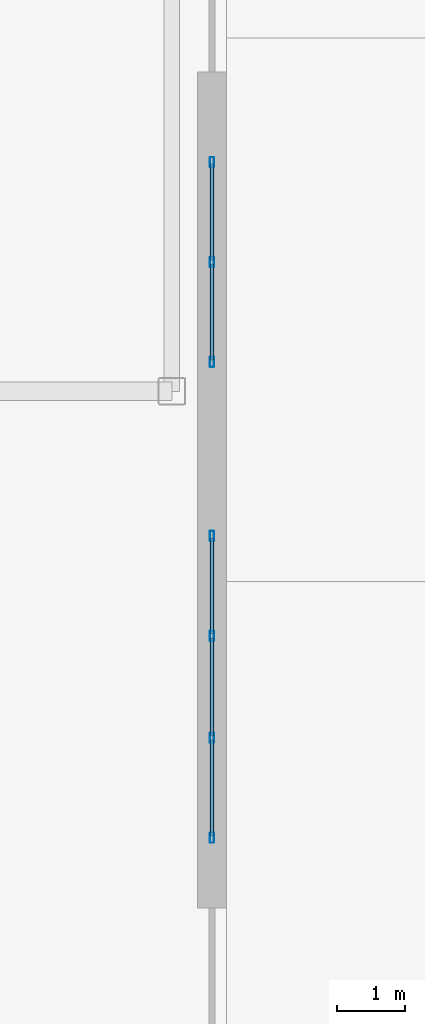
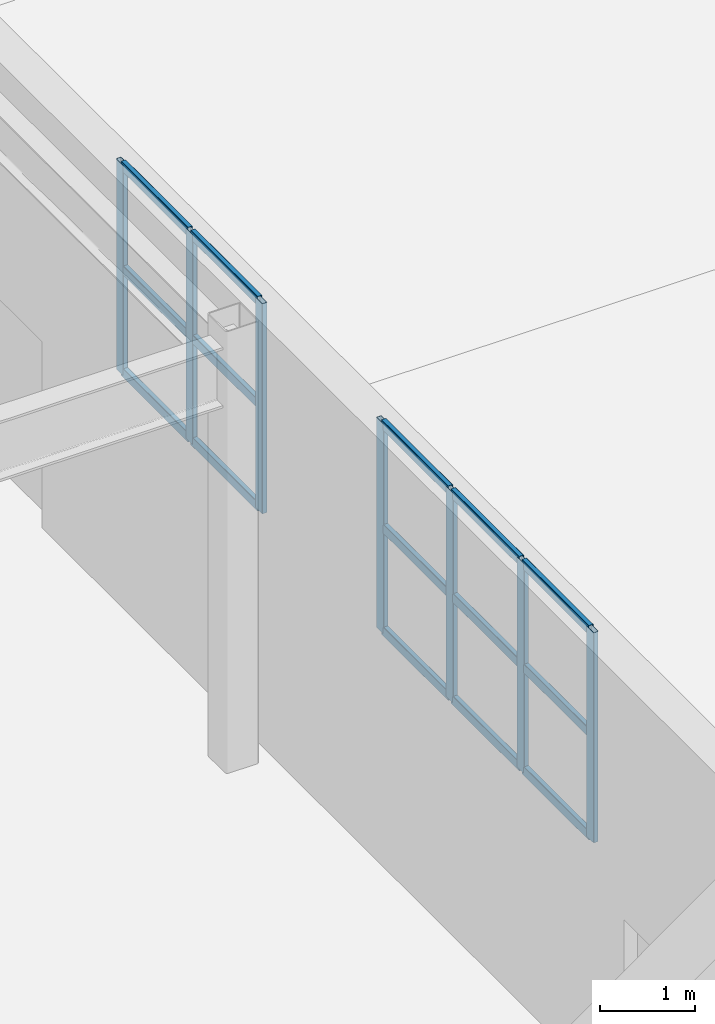
# One storey, part 6 of 18: 22 members, 2 elements without a shape of their own.
"""IFC4 building model written with IfcOpenShell, lengths in metres."""

from ifc_helpers import new_model, entity, si_unit, converted_unit, direction, frame, origin_with_axes, origin_2d_with_axis, place, context, subcontext, project, spatial, hollow_rectangle, extrude, material, material_profile, profile_set, type_object, element, aggregate, save


model = new_model("IFC4")

# Units and contexts
model_context = context("Model", 3, precision=1e-05, world=origin_with_axes(), true_north=direction((0.0, 1.0)))
body_context = subcontext(model_context, "Body", "Model", "MODEL_VIEW")
ifc_project = project(units=[si_unit("LENGTHUNIT", "METRE"), si_unit("AREAUNIT", "SQUARE_METRE"), si_unit("VOLUMEUNIT", "CUBIC_METRE"), converted_unit("PLANEANGLEUNIT", "DEGREE", entity("IfcPlaneAngleMeasure", 0.017453292519943295), si_unit("PLANEANGLEUNIT", "RADIAN"), dimensions=[0, 0, 0, 0, 0, 0, 0]), si_unit("MASSUNIT", "GRAM", prefix="KILO"), si_unit("THERMODYNAMICTEMPERATUREUNIT", "KELVIN")], contexts=[model_context])

# Site, building, storey
site_placement = place(None, origin_with_axes())
site = spatial("IfcSite", under=ifc_project, at=site_placement, CompositionType="ELEMENT")
building_placement = place(site_placement, origin_with_axes())
building = spatial("IfcBuilding", under=site, at=building_placement, Name="Varnlund Millrace Tower", CompositionType="ELEMENT")
storey_placement = place(building_placement, origin_with_axes())
storey = spatial("IfcBuildingStorey", under=building, at=storey_placement, Name="L00", CompositionType="ELEMENT", Elevation=0.0)

# Curtain wall, members
ifc_material_1 = material(Name="Thermally broken architectural bronze curtain wall", Category="aluminium")
curtain_wall_type = type_object("IfcCurtainWallType", Name="Type-CW-Sys1-Concourse", PredefinedType="NOTDEFINED", material=ifc_material_1)
curtain_wall_1_placement = place(storey_placement, frame((68.19, 8.7, 2.75), z_axis=(0.0, 0.0, 1.0), x_axis=(1.0, 0.0, 0.0)))
curtain_wall_1 = element("IfcCurtainWall", 1, at=curtain_wall_1_placement, inside=storey, type_object=curtain_wall_type, Name="Type-CW-Sys1-Concourse", PredefinedType="NOTDEFINED")
ifc_material_2 = material(Name="Architectural bronze aluminium alloy 6063-T6", Category="aluminium")
ifc_material_profile_1 = material_profile(ifc_material_2, hollow_rectangle(XDim=0.06, YDim=0.15, WallThickness=0.004, InnerFilletRadius=0.004, OuterFilletRadius=0.008, at=origin_2d_with_axis()), Name="Architectural bronze aluminium alloy 6063-T6")
ifc_profile_set_1 = profile_set([ifc_material_profile_1], Name="Architectural bronze aluminium alloy 6063-T6")
member_type_1 = type_object("IfcMemberType", Name="Type-CW-Mullion-60X150", PredefinedType="MULLION", material=ifc_profile_set_1)
member_1_placement = place(storey_placement, frame((68.19, 8.67, 2.75), z_axis=(0.0, 0.0, 1.0), x_axis=(1.0, 0.0, 0.0)))
member_1 = element("IfcMember", 2, at=member_1_placement, type_object=member_type_1, Name="CW-01 mullion 1", PredefinedType="MULLION", context=body_context, shape_type="SweptSolid", body=[
    extrude(hollow_rectangle(XDim=0.06, YDim=0.15, WallThickness=0.004, InnerFilletRadius=0.004, OuterFilletRadius=0.008, at=origin_2d_with_axis()), origin_with_axes(), (0.0, 0.0, 1.0), 2.71),
])
member_2_placement = place(storey_placement, frame((68.19, 7.2, 2.75), z_axis=(0.0, 0.0, 1.0), x_axis=(1.0, 0.0, 0.0)))
member_2 = element("IfcMember", 3, at=member_2_placement, type_object=member_type_1, Name="CW-01 mullion 2", PredefinedType="MULLION", context=body_context, shape_type="SweptSolid", body=[
    extrude(hollow_rectangle(XDim=0.06, YDim=0.15, WallThickness=0.004, InnerFilletRadius=0.004, OuterFilletRadius=0.008, at=origin_2d_with_axis()), origin_with_axes(), (0.0, 0.0, 1.0), 2.71),
])
member_3_placement = place(storey_placement, frame((68.19, 5.7, 2.75), z_axis=(0.0, 0.0, 1.0), x_axis=(1.0, 0.0, 0.0)))
member_3 = element("IfcMember", 4, at=member_3_placement, type_object=member_type_1, Name="CW-01 mullion 3", PredefinedType="MULLION", context=body_context, shape_type="SweptSolid", body=[
    extrude(hollow_rectangle(XDim=0.06, YDim=0.15, WallThickness=0.004, InnerFilletRadius=0.004, OuterFilletRadius=0.008, at=origin_2d_with_axis()), origin_with_axes(), (0.0, 0.0, 1.0), 2.71),
])
member_4_placement = place(storey_placement, frame((68.19, 4.23, 2.75), z_axis=(0.0, 0.0, 1.0), x_axis=(1.0, 0.0, 0.0)))
member_4 = element("IfcMember", 5, at=member_4_placement, type_object=member_type_1, Name="CW-01 mullion 4", PredefinedType="MULLION", context=body_context, shape_type="SweptSolid", body=[
    extrude(hollow_rectangle(XDim=0.06, YDim=0.15, WallThickness=0.004, InnerFilletRadius=0.004, OuterFilletRadius=0.008, at=origin_2d_with_axis()), origin_with_axes(), (0.0, 0.0, 1.0), 2.71),
])

curtain_wall_2_placement = place(storey_placement, frame((68.19, 14.2, 2.75), z_axis=(0.0, 0.0, 1.0), x_axis=(1.0, 0.0, 0.0)))
curtain_wall_2 = element("IfcCurtainWall", 6, at=curtain_wall_2_placement, inside=storey, type_object=curtain_wall_type, Name="Type-CW-Sys1-Concourse", PredefinedType="NOTDEFINED")
member_5_placement = place(storey_placement, frame((68.19, 14.17, 2.75), z_axis=(0.0, 0.0, 1.0), x_axis=(1.0, 0.0, 0.0)))
member_5 = element("IfcMember", 7, at=member_5_placement, type_object=member_type_1, Name="CW-01 mullion 1", PredefinedType="MULLION", context=body_context, shape_type="SweptSolid", body=[
    extrude(hollow_rectangle(XDim=0.06, YDim=0.15, WallThickness=0.004, InnerFilletRadius=0.004, OuterFilletRadius=0.008, at=origin_2d_with_axis()), origin_with_axes(), (0.0, 0.0, 1.0), 2.71),
])
member_6_placement = place(storey_placement, frame((68.19, 12.7, 2.75), z_axis=(0.0, 0.0, 1.0), x_axis=(1.0, 0.0, 0.0)))
member_6 = element("IfcMember", 8, at=member_6_placement, type_object=member_type_1, Name="CW-01 mullion 2", PredefinedType="MULLION", context=body_context, shape_type="SweptSolid", body=[
    extrude(hollow_rectangle(XDim=0.06, YDim=0.15, WallThickness=0.004, InnerFilletRadius=0.004, OuterFilletRadius=0.008, at=origin_2d_with_axis()), origin_with_axes(), (0.0, 0.0, 1.0), 2.71),
])
member_7_placement = place(storey_placement, frame((68.19, 11.23, 2.75), z_axis=(0.0, 0.0, 1.0), x_axis=(1.0, 0.0, 0.0)))
member_7 = element("IfcMember", 9, at=member_7_placement, type_object=member_type_1, Name="CW-01 mullion 3", PredefinedType="MULLION", context=body_context, shape_type="SweptSolid", body=[
    extrude(hollow_rectangle(XDim=0.06, YDim=0.15, WallThickness=0.004, InnerFilletRadius=0.004, OuterFilletRadius=0.008, at=origin_2d_with_axis()), origin_with_axes(), (0.0, 0.0, 1.0), 2.71),
])

# Member
ifc_material_profile_2 = material_profile(ifc_material_2, hollow_rectangle(XDim=0.06, YDim=0.12, WallThickness=0.004, InnerFilletRadius=0.004, OuterFilletRadius=0.008, at=origin_2d_with_axis()), Name="Architectural bronze aluminium alloy 6063-T6")
ifc_profile_set_2 = profile_set([ifc_material_profile_2], Name="Architectural bronze aluminium alloy 6063-T6")
member_type_2 = type_object("IfcMemberType", Name="Type-CW-Transom-60X120", PredefinedType="USERDEFINED", material=ifc_profile_set_2)
member_8_placement = place(storey_placement, frame((68.19, 8.64, 2.78), z_axis=(0.0, -1.0, 0.0), x_axis=(1.0, 0.0, 0.0)))
member_8 = element("IfcMember", 10, at=member_8_placement, type_object=member_type_2, Name="CW-01 transom 1.1", ObjectType="TRANSOM", PredefinedType="USERDEFINED", context=body_context, shape_type="SweptSolid", body=[
    extrude(hollow_rectangle(XDim=0.06, YDim=0.12, WallThickness=0.004, InnerFilletRadius=0.004, OuterFilletRadius=0.008, at=origin_2d_with_axis()), origin_with_axes(), (0.0, 0.0, 1.0), 1.41),
])

member_9_placement = place(storey_placement, frame((68.19, 8.64, 4.105), z_axis=(0.0, -1.0, 0.0), x_axis=(1.0, 0.0, 0.0)))
member_9 = element("IfcMember", 11, at=member_9_placement, type_object=member_type_2, Name="CW-01 transom 1.2", ObjectType="TRANSOM", PredefinedType="USERDEFINED", context=body_context, shape_type="SweptSolid", body=[
    extrude(hollow_rectangle(XDim=0.06, YDim=0.12, WallThickness=0.004, InnerFilletRadius=0.004, OuterFilletRadius=0.008, at=origin_2d_with_axis()), origin_with_axes(), (0.0, 0.0, 1.0), 1.41),
])

member_10_placement = place(storey_placement, frame((68.19, 8.64, 5.43), z_axis=(0.0, -1.0, 0.0), x_axis=(1.0, 0.0, 0.0)))
member_10 = element("IfcMember", 12, at=member_10_placement, type_object=member_type_2, Name="CW-01 transom 1.3", ObjectType="TRANSOM", PredefinedType="USERDEFINED", context=body_context, shape_type="SweptSolid", body=[
    extrude(hollow_rectangle(XDim=0.06, YDim=0.12, WallThickness=0.004, InnerFilletRadius=0.004, OuterFilletRadius=0.008, at=origin_2d_with_axis()), origin_with_axes(), (0.0, 0.0, 1.0), 1.41),
])

member_11_placement = place(storey_placement, frame((68.19, 7.17, 2.78), z_axis=(0.0, -1.0, 0.0), x_axis=(1.0, 0.0, 0.0)))
member_11 = element("IfcMember", 13, at=member_11_placement, type_object=member_type_2, Name="CW-01 transom 2.1", ObjectType="TRANSOM", PredefinedType="USERDEFINED", context=body_context, shape_type="SweptSolid", body=[
    extrude(hollow_rectangle(XDim=0.06, YDim=0.12, WallThickness=0.004, InnerFilletRadius=0.004, OuterFilletRadius=0.008, at=origin_2d_with_axis()), origin_with_axes(), (0.0, 0.0, 1.0), 1.44),
])

member_12_placement = place(storey_placement, frame((68.19, 7.17, 4.105), z_axis=(0.0, -1.0, 0.0), x_axis=(1.0, 0.0, 0.0)))
member_12 = element("IfcMember", 14, at=member_12_placement, type_object=member_type_2, Name="CW-01 transom 2.2", ObjectType="TRANSOM", PredefinedType="USERDEFINED", context=body_context, shape_type="SweptSolid", body=[
    extrude(hollow_rectangle(XDim=0.06, YDim=0.12, WallThickness=0.004, InnerFilletRadius=0.004, OuterFilletRadius=0.008, at=origin_2d_with_axis()), origin_with_axes(), (0.0, 0.0, 1.0), 1.44),
])

member_13_placement = place(storey_placement, frame((68.19, 7.17, 5.43), z_axis=(0.0, -1.0, 0.0), x_axis=(1.0, 0.0, 0.0)))
member_13 = element("IfcMember", 15, at=member_13_placement, type_object=member_type_2, Name="CW-01 transom 2.3", ObjectType="TRANSOM", PredefinedType="USERDEFINED", context=body_context, shape_type="SweptSolid", body=[
    extrude(hollow_rectangle(XDim=0.06, YDim=0.12, WallThickness=0.004, InnerFilletRadius=0.004, OuterFilletRadius=0.008, at=origin_2d_with_axis()), origin_with_axes(), (0.0, 0.0, 1.0), 1.44),
])

member_14_placement = place(storey_placement, frame((68.19, 5.67, 2.78), z_axis=(0.0, -1.0, 0.0), x_axis=(1.0, 0.0, 0.0)))
member_14 = element("IfcMember", 16, at=member_14_placement, type_object=member_type_2, Name="CW-01 transom 3.1", ObjectType="TRANSOM", PredefinedType="USERDEFINED", context=body_context, shape_type="SweptSolid", body=[
    extrude(hollow_rectangle(XDim=0.06, YDim=0.12, WallThickness=0.004, InnerFilletRadius=0.004, OuterFilletRadius=0.008, at=origin_2d_with_axis()), origin_with_axes(), (0.0, 0.0, 1.0), 1.41),
])

member_15_placement = place(storey_placement, frame((68.19, 5.67, 4.105), z_axis=(0.0, -1.0, 0.0), x_axis=(1.0, 0.0, 0.0)))
member_15 = element("IfcMember", 17, at=member_15_placement, type_object=member_type_2, Name="CW-01 transom 3.2", ObjectType="TRANSOM", PredefinedType="USERDEFINED", context=body_context, shape_type="SweptSolid", body=[
    extrude(hollow_rectangle(XDim=0.06, YDim=0.12, WallThickness=0.004, InnerFilletRadius=0.004, OuterFilletRadius=0.008, at=origin_2d_with_axis()), origin_with_axes(), (0.0, 0.0, 1.0), 1.41),
])

member_16_placement = place(storey_placement, frame((68.19, 5.67, 5.43), z_axis=(0.0, -1.0, 0.0), x_axis=(1.0, 0.0, 0.0)))
member_16 = element("IfcMember", 18, at=member_16_placement, type_object=member_type_2, Name="CW-01 transom 3.3", ObjectType="TRANSOM", PredefinedType="USERDEFINED", context=body_context, shape_type="SweptSolid", body=[
    extrude(hollow_rectangle(XDim=0.06, YDim=0.12, WallThickness=0.004, InnerFilletRadius=0.004, OuterFilletRadius=0.008, at=origin_2d_with_axis()), origin_with_axes(), (0.0, 0.0, 1.0), 1.41),
])

aggregate(curtain_wall_1, [member_1, member_2, member_3, member_4, member_8, member_9, member_10, member_11, member_12, member_13, member_14, member_15, member_16])

member_17_placement = place(storey_placement, frame((68.19, 14.14, 2.78), z_axis=(0.0, -1.0, 0.0), x_axis=(1.0, 0.0, 0.0)))
member_17 = element("IfcMember", 19, at=member_17_placement, type_object=member_type_2, Name="CW-01 transom 1.1", ObjectType="TRANSOM", PredefinedType="USERDEFINED", context=body_context, shape_type="SweptSolid", body=[
    extrude(hollow_rectangle(XDim=0.06, YDim=0.12, WallThickness=0.004, InnerFilletRadius=0.004, OuterFilletRadius=0.008, at=origin_2d_with_axis()), origin_with_axes(), (0.0, 0.0, 1.0), 1.41),
])

member_18_placement = place(storey_placement, frame((68.19, 14.14, 4.105), z_axis=(0.0, -1.0, 0.0), x_axis=(1.0, 0.0, 0.0)))
member_18 = element("IfcMember", 20, at=member_18_placement, type_object=member_type_2, Name="CW-01 transom 1.2", ObjectType="TRANSOM", PredefinedType="USERDEFINED", context=body_context, shape_type="SweptSolid", body=[
    extrude(hollow_rectangle(XDim=0.06, YDim=0.12, WallThickness=0.004, InnerFilletRadius=0.004, OuterFilletRadius=0.008, at=origin_2d_with_axis()), origin_with_axes(), (0.0, 0.0, 1.0), 1.41),
])

member_19_placement = place(storey_placement, frame((68.19, 14.14, 5.43), z_axis=(0.0, -1.0, 0.0), x_axis=(1.0, 0.0, 0.0)))
member_19 = element("IfcMember", 21, at=member_19_placement, type_object=member_type_2, Name="CW-01 transom 1.3", ObjectType="TRANSOM", PredefinedType="USERDEFINED", context=body_context, shape_type="SweptSolid", body=[
    extrude(hollow_rectangle(XDim=0.06, YDim=0.12, WallThickness=0.004, InnerFilletRadius=0.004, OuterFilletRadius=0.008, at=origin_2d_with_axis()), origin_with_axes(), (0.0, 0.0, 1.0), 1.41),
])

member_20_placement = place(storey_placement, frame((68.19, 12.67, 2.78), z_axis=(0.0, -1.0, 0.0), x_axis=(1.0, 0.0, 0.0)))
member_20 = element("IfcMember", 22, at=member_20_placement, type_object=member_type_2, Name="CW-01 transom 2.1", ObjectType="TRANSOM", PredefinedType="USERDEFINED", context=body_context, shape_type="SweptSolid", body=[
    extrude(hollow_rectangle(XDim=0.06, YDim=0.12, WallThickness=0.004, InnerFilletRadius=0.004, OuterFilletRadius=0.008, at=origin_2d_with_axis()), origin_with_axes(), (0.0, 0.0, 1.0), 1.41),
])

member_21_placement = place(storey_placement, frame((68.19, 12.67, 4.105), z_axis=(0.0, -1.0, 0.0), x_axis=(1.0, 0.0, 0.0)))
member_21 = element("IfcMember", 23, at=member_21_placement, type_object=member_type_2, Name="CW-01 transom 2.2", ObjectType="TRANSOM", PredefinedType="USERDEFINED", context=body_context, shape_type="SweptSolid", body=[
    extrude(hollow_rectangle(XDim=0.06, YDim=0.12, WallThickness=0.004, InnerFilletRadius=0.004, OuterFilletRadius=0.008, at=origin_2d_with_axis()), origin_with_axes(), (0.0, 0.0, 1.0), 1.41),
])

member_22_placement = place(storey_placement, frame((68.19, 12.67, 5.43), z_axis=(0.0, -1.0, 0.0), x_axis=(1.0, 0.0, 0.0)))
member_22 = element("IfcMember", 24, at=member_22_placement, type_object=member_type_2, Name="CW-01 transom 2.3", ObjectType="TRANSOM", PredefinedType="USERDEFINED", context=body_context, shape_type="SweptSolid", body=[
    extrude(hollow_rectangle(XDim=0.06, YDim=0.12, WallThickness=0.004, InnerFilletRadius=0.004, OuterFilletRadius=0.008, at=origin_2d_with_axis()), origin_with_axes(), (0.0, 0.0, 1.0), 1.41),
])

aggregate(curtain_wall_2, [member_5, member_6, member_7, member_17, member_18, member_19, member_20, member_21, member_22])

save(model, "model.ifc")
